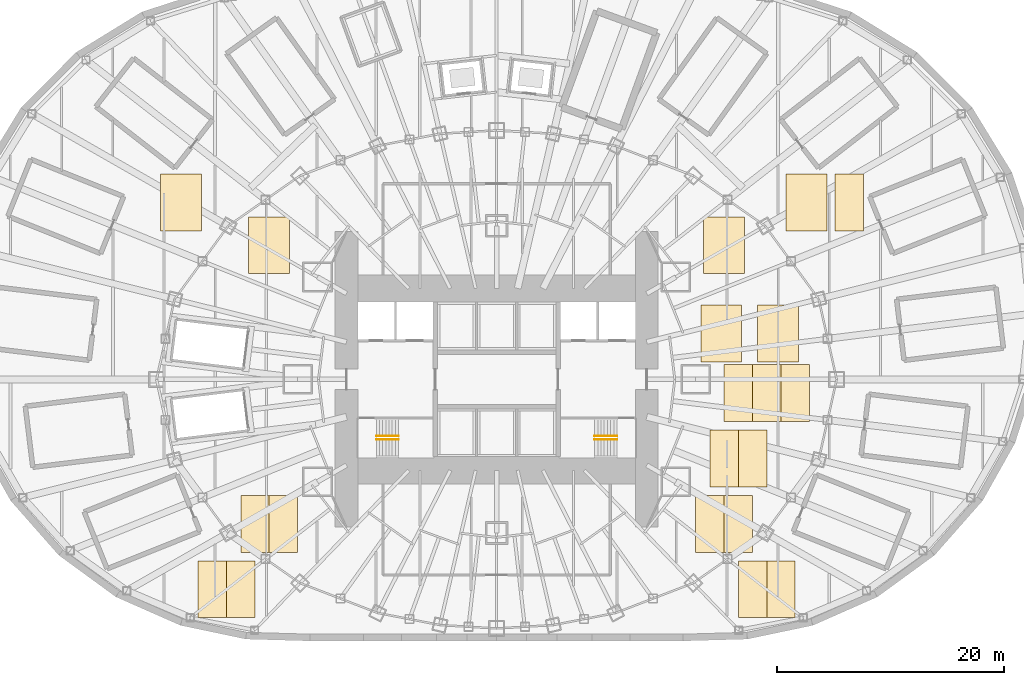
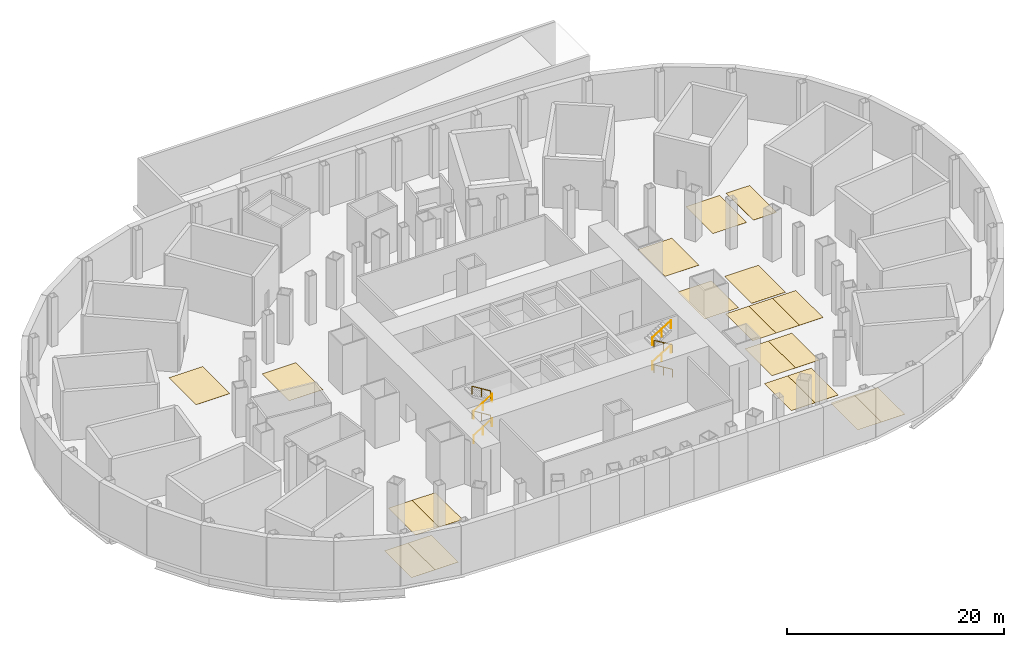
# One storey, part 18 of 19: 20 coverings, 8 railings.
"""IFC4 building model written with IfcOpenShell, lengths in metres."""

from ifc_helpers import new_model, si_unit, direction, frame, origin, origin_2d, place, context, subcontext, project, spatial, polyline, circle, outline, extrude, material, layer, layer_set, type_object, element, save


model = new_model("IFC4")

# Units and contexts
model_context = context("Model", 3, precision=1e-05, world=origin(), true_north=direction((0.0, 1.0)))
body_context = subcontext(model_context, "Body", "Model", "MODEL_VIEW")
ifc_project = project(units=[si_unit("LENGTHUNIT", "METRE"), si_unit("AREAUNIT", "SQUARE_METRE"), si_unit("VOLUMEUNIT", "CUBIC_METRE"), si_unit("PLANEANGLEUNIT", "RADIAN"), si_unit("MASSUNIT", "GRAM", prefix="KILO")], contexts=[model_context])

# Site, building, storey
site_placement = place(None, origin())
site = spatial("IfcSite", under=ifc_project, at=site_placement, CompositionType="ELEMENT")
building_placement = place(site_placement, origin())
building = spatial("IfcBuilding", under=site, at=building_placement, Name="Lantaw Convention Tower", CompositionType="ELEMENT")
storey_placement = place(building_placement, frame((0.0, 0.0, -5.5)))
storey = spatial("IfcBuildingStorey", under=building, at=storey_placement, Name="B1", CompositionType="ELEMENT", Elevation=-5.5)

# Coverings
ifc_material_1 = material(Name="Thermoplastic road marking paint, white")
ifc_layer = layer(ifc_material_1, 0.010009765625)
ifc_layer_set = layer_set([ifc_layer], Name="Parking bay marking")
covering_type = type_object("IfcCoveringType", Name="Parking bay marking", PredefinedType="FLOORING", material=ifc_layer_set)
covering_1_placement = place(storey_placement, origin())
element("IfcCovering", 1, at=covering_1_placement, inside=storey, type_object=covering_type, Name="Parking bay marking 001", PredefinedType="FLOORING", context=body_context, shape_type="SweptSolid", body=[
    extrude(outline(polyline([(29.75, 13.050048828125), (32.25, 13.050048828125), (32.25, 18.050048828125), (29.75, 18.050048828125), (29.75, 13.050048828125)])), origin(), (0.0, 0.0, 1.0), 0.010009765625),
])
covering_2_placement = place(storey_placement, origin())
element("IfcCovering", 2, at=covering_2_placement, inside=storey, type_object=covering_type, Name="Parking bay marking 002", PredefinedType="FLOORING", context=body_context, shape_type="SweptSolid", body=[
    extrude(outline(polyline([(-22.5, -15.199951171875), (-20.0, -15.199951171875), (-20.0, -10.199951171875), (-22.5, -10.199951171875), (-22.5, -15.199951171875)])), origin(), (0.0, 0.0, 1.0), 0.010009765625),
])
covering_3_placement = place(storey_placement, origin())
element("IfcCovering", 3, at=covering_3_placement, inside=storey, type_object=covering_type, Name="Parking bay marking 003", PredefinedType="FLOORING", context=body_context, shape_type="SweptSolid", body=[
    extrude(outline(polyline([(-20.0, -15.199951171875), (-17.5, -15.199951171875), (-17.5, -10.199951171875), (-20.0, -10.199951171875), (-20.0, -15.199951171875)])), origin(), (0.0, 0.0, 1.0), 0.010009765625),
])
covering_4_placement = place(storey_placement, origin())
element("IfcCovering", 4, at=covering_4_placement, inside=storey, type_object=covering_type, Name="Parking bay marking 004", PredefinedType="FLOORING", context=body_context, shape_type="SweptSolid", body=[
    extrude(outline(polyline([(17.5, -15.199951171875), (20.0, -15.199951171875), (20.0, -10.199951171875), (17.5, -10.199951171875), (17.5, -15.199951171875)])), origin(), (0.0, 0.0, 1.0), 0.010009765625),
])
covering_5_placement = place(storey_placement, origin())
element("IfcCovering", 5, at=covering_5_placement, inside=storey, type_object=covering_type, Name="Parking bay marking 005", PredefinedType="FLOORING", context=body_context, shape_type="SweptSolid", body=[
    extrude(outline(polyline([(20.0, -15.199951171875), (22.5, -15.199951171875), (22.5, -10.199951171875), (20.0, -10.199951171875), (20.0, -15.199951171875)])), origin(), (0.0, 0.0, 1.0), 0.010009765625),
])
covering_6_placement = place(storey_placement, origin())
element("IfcCovering", 6, at=covering_6_placement, inside=storey, type_object=covering_type, Name="Parking bay marking 006", PredefinedType="FLOORING", context=body_context, shape_type="SweptSolid", body=[
    extrude(outline(polyline([(20.0, -3.699951171875), (22.5, -3.699951171875), (22.5, 1.300048828125), (20.0, 1.300048828125), (20.0, -3.699951171875)])), origin(), (0.0, 0.0, 1.0), 0.010009765625),
])
covering_7_placement = place(storey_placement, origin())
element("IfcCovering", 7, at=covering_7_placement, inside=storey, type_object=covering_type, Name="Parking bay marking 007", PredefinedType="FLOORING", context=body_context, shape_type="SweptSolid", body=[
    extrude(outline(polyline([(22.5, -3.699951171875), (25.0, -3.699951171875), (25.0, 1.300048828125), (22.5, 1.300048828125), (22.5, -3.699951171875)])), origin(), (0.0, 0.0, 1.0), 0.010009765625),
])
covering_8_placement = place(storey_placement, origin())
element("IfcCovering", 8, at=covering_8_placement, inside=storey, type_object=covering_type, Name="Parking bay marking 008", PredefinedType="FLOORING", context=body_context, shape_type="SweptSolid", body=[
    extrude(outline(polyline([(25.0, -3.699951171875), (27.5, -3.699951171875), (27.5, 1.300048828125), (25.0, 1.300048828125), (25.0, -3.699951171875)])), origin(), (0.0, 0.0, 1.0), 0.010009765625),
])
covering_9_placement = place(storey_placement, origin())
element("IfcCovering", 9, at=covering_9_placement, inside=storey, type_object=covering_type, Name="Parking bay marking 009", PredefinedType="FLOORING", context=body_context, shape_type="SweptSolid", body=[
    extrude(outline(polyline([(-26.25, -20.949951171875), (-23.75, -20.949951171875), (-23.75, -15.949951171875), (-26.25, -15.949951171875), (-26.25, -20.949951171875)])), origin(), (0.0, 0.0, 1.0), 0.010009765625),
])
covering_10_placement = place(storey_placement, origin())
element("IfcCovering", 10, at=covering_10_placement, inside=storey, type_object=covering_type, Name="Parking bay marking 010", PredefinedType="FLOORING", context=body_context, shape_type="SweptSolid", body=[
    extrude(outline(polyline([(-23.75, -20.949951171875), (-21.25, -20.949951171875), (-21.25, -15.949951171875), (-23.75, -15.949951171875), (-23.75, -20.949951171875)])), origin(), (0.0, 0.0, 1.0), 0.010009765625),
])
covering_11_placement = place(storey_placement, origin())
element("IfcCovering", 11, at=covering_11_placement, inside=storey, type_object=covering_type, Name="Parking bay marking 011", PredefinedType="FLOORING", context=body_context, shape_type="SweptSolid", body=[
    extrude(outline(polyline([(21.25, -20.949951171875), (23.75, -20.949951171875), (23.75, -15.949951171875), (21.25, -15.949951171875), (21.25, -20.949951171875)])), origin(), (0.0, 0.0, 1.0), 0.010009765625),
])
covering_12_placement = place(storey_placement, origin())
element("IfcCovering", 12, at=covering_12_placement, inside=storey, type_object=covering_type, Name="Parking bay marking 012", PredefinedType="FLOORING", context=body_context, shape_type="SweptSolid", body=[
    extrude(outline(polyline([(23.75, -20.949951171875), (26.25, -20.949951171875), (26.25, -15.949951171875), (23.75, -15.949951171875), (23.75, -20.949951171875)])), origin(), (0.0, 0.0, 1.0), 0.010009765625),
])
covering_13_placement = place(storey_placement, origin())
element("IfcCovering", 13, at=covering_13_placement, inside=storey, type_object=covering_type, Name="Parking bay marking 013", PredefinedType="FLOORING", context=body_context, shape_type="SweptSolid", body=[
    extrude(outline(polyline([(18.75, -9.449951171875), (21.25, -9.449951171875), (21.25, -4.449951171875), (18.75, -4.449951171875), (18.75, -9.449951171875)])), origin(), (0.0, 0.0, 1.0), 0.010009765625),
])
covering_14_placement = place(storey_placement, origin())
element("IfcCovering", 14, at=covering_14_placement, inside=storey, type_object=covering_type, Name="Parking bay marking 014", PredefinedType="FLOORING", context=body_context, shape_type="SweptSolid", body=[
    extrude(outline(polyline([(21.25, -9.449951171875), (23.75, -9.449951171875), (23.75, -4.449951171875), (21.25, -4.449951171875), (21.25, -9.449951171875)])), origin(), (0.0, 0.0, 1.0), 0.010009765625),
])
covering_15_placement = place(storey_placement, origin())
element("IfcCovering", 15, at=covering_15_placement, inside=storey, type_object=covering_type, Name="Accessible parking bay marking 01", PredefinedType="FLOORING", context=body_context, shape_type="SweptSolid", body=[
    extrude(outline(polyline([(-21.800048828125, 9.300048828125), (-18.199951171875, 9.300048828125), (-18.199951171875, 14.300048828125), (-21.800048828125, 14.300048828125), (-21.800048828125, 9.300048828125)])), origin(), (0.0, 0.0, 1.0), 0.010009765625),
])
covering_16_placement = place(storey_placement, origin())
element("IfcCovering", 16, at=covering_16_placement, inside=storey, type_object=covering_type, Name="Accessible parking bay marking 02", PredefinedType="FLOORING", context=body_context, shape_type="SweptSolid", body=[
    extrude(outline(polyline([(18.199951171875, 9.300048828125), (21.800048828125, 9.300048828125), (21.800048828125, 14.300048828125), (18.199951171875, 14.300048828125), (18.199951171875, 9.300048828125)])), origin(), (0.0, 0.0, 1.0), 0.010009765625),
])
covering_17_placement = place(storey_placement, origin())
element("IfcCovering", 17, at=covering_17_placement, inside=storey, type_object=covering_type, Name="Accessible parking bay marking 03", PredefinedType="FLOORING", context=body_context, shape_type="SweptSolid", body=[
    extrude(outline(polyline([(17.949951171875, 1.550048828125), (21.550048828125, 1.550048828125), (21.550048828125, 6.550048828125), (17.949951171875, 6.550048828125), (17.949951171875, 1.550048828125)])), origin(), (0.0, 0.0, 1.0), 0.010009765625),
])
covering_18_placement = place(storey_placement, origin())
element("IfcCovering", 18, at=covering_18_placement, inside=storey, type_object=covering_type, Name="Accessible parking bay marking 04", PredefinedType="FLOORING", context=body_context, shape_type="SweptSolid", body=[
    extrude(outline(polyline([(25.449951171875, 13.050048828125), (29.050048828125, 13.050048828125), (29.050048828125, 18.050048828125), (25.449951171875, 18.050048828125), (25.449951171875, 13.050048828125)])), origin(), (0.0, 0.0, 1.0), 0.010009765625),
])
covering_19_placement = place(storey_placement, origin())
element("IfcCovering", 19, at=covering_19_placement, inside=storey, type_object=covering_type, Name="Accessible parking bay marking 05", PredefinedType="FLOORING", context=body_context, shape_type="SweptSolid", body=[
    extrude(outline(polyline([(-29.550048828125, 13.050048828125), (-25.949951171875, 13.050048828125), (-25.949951171875, 18.050048828125), (-29.550048828125, 18.050048828125), (-29.550048828125, 13.050048828125)])), origin(), (0.0, 0.0, 1.0), 0.010009765625),
])
covering_20_placement = place(storey_placement, origin())
element("IfcCovering", 20, at=covering_20_placement, inside=storey, type_object=covering_type, Name="Accessible parking bay marking 06", PredefinedType="FLOORING", context=body_context, shape_type="SweptSolid", body=[
    extrude(outline(polyline([(22.949951171875, 1.550048828125), (26.550048828125, 1.550048828125), (26.550048828125, 6.550048828125), (22.949951171875, 6.550048828125), (22.949951171875, 1.550048828125)])), origin(), (0.0, 0.0, 1.0), 0.010009765625),
])

# Railings
ifc_material_2 = material(Name="Stainless steel", Category="steel")
railing_type = type_object("IfcRailingType", Name="Stair handrail", PredefinedType="HANDRAIL", material=ifc_material_2)
railing_1_placement = place(storey_placement, frame((-10.580078125, -5.280029296875, 0.171875)))
element("IfcRailing", 21, at=railing_1_placement, inside=storey, type_object=railing_type, Name="Stair handrail S1", PredefinedType="HANDRAIL", context=body_context, shape_type="SweptSolid", body=[
    extrude(circle(Radius=0.02392578125, at=origin_2d()), frame((0.0, 0.0, 0.8759765625), z_axis=(0.852240978134, 0.0, 0.523149419562), x_axis=(0.0, 1.0, 0.0)), (0.0, 0.0, 1.0), 2.2998046875),
    extrude(circle(Radius=0.02099609375, at=origin_2d()), origin(), (0.0, 0.0, 1.0), 0.851806640625),
    extrude(circle(Radius=0.02099609375, at=origin_2d()), frame((0.97998046875, 0.0, 0.6015625)), (0.0, 0.0, 1.0), 0.851806640625),
    extrude(circle(Radius=0.02099609375, at=origin_2d()), frame((1.9599609375, 0.0, 1.203125)), (0.0, 0.0, 1.0), 0.851806640625),
])
railing_2_placement = place(storey_placement, frame((-8.6201171875, -4.97998046875, 1.546875)))
element("IfcRailing", 22, at=railing_2_placement, inside=storey, type_object=railing_type, Name="Stair handrail S1", PredefinedType="HANDRAIL", context=body_context, shape_type="SweptSolid", body=[
    extrude(circle(Radius=0.02392578125, at=origin_2d()), frame((0.0, 0.0, 0.8759765625), z_axis=(-0.852240978134, 0.0, 0.523149419562), x_axis=(0.0, -1.0, 0.0)), (0.0, 0.0, 1.0), 2.2998046875),
    extrude(circle(Radius=0.02099609375, at=origin_2d()), origin(), (0.0, 0.0, 1.0), 0.851806640625),
    extrude(circle(Radius=0.02099609375, at=origin_2d()), frame((-0.97998046875, 0.0, 0.6015625)), (0.0, 0.0, 1.0), 0.851806640625),
    extrude(circle(Radius=0.02099609375, at=origin_2d()), frame((-1.9599609375, 0.0, 1.203125)), (0.0, 0.0, 1.0), 0.851806640625),
])
railing_3_placement = place(storey_placement, frame((-10.580078125, -5.280029296875, 2.921875)))
element("IfcRailing", 23, at=railing_3_placement, inside=storey, type_object=railing_type, Name="Stair handrail S1", PredefinedType="HANDRAIL", context=body_context, shape_type="SweptSolid", body=[
    extrude(circle(Radius=0.02392578125, at=origin_2d()), frame((0.0, 0.0, 0.8759765625), z_axis=(0.852240978134, 0.0, 0.523149419562), x_axis=(0.0, 1.0, 0.0)), (0.0, 0.0, 1.0), 2.2998046875),
    extrude(circle(Radius=0.02099609375, at=origin_2d()), origin(), (0.0, 0.0, 1.0), 0.851806640625),
    extrude(circle(Radius=0.02099609375, at=origin_2d()), frame((0.97998046875, 0.0, 0.6015625)), (0.0, 0.0, 1.0), 0.851806640625),
    extrude(circle(Radius=0.02099609375, at=origin_2d()), frame((1.9599609375, 0.0, 1.203125)), (0.0, 0.0, 1.0), 0.851806640625),
])
for number, where, name in (
    (24, (-8.6201171875, -4.97998046875, 4.296875), "Stair handrail S1"),
    (25, (10.580078125, -5.280029296875, 0.171875), "Stair handrail S2"),
):
    element("IfcRailing", number, at=place(storey_placement, frame(where)), inside=storey, type_object=railing_type, Name=name, PredefinedType="HANDRAIL", context=body_context, shape_type="SweptSolid", body=[
        extrude(circle(Radius=0.02392578125, at=origin_2d()), frame((0.0, 0.0, 0.8759765625), z_axis=(-0.852240978134, 0.0, 0.523149419562), x_axis=(0.0, -1.0, 0.0)), (0.0, 0.0, 1.0), 2.2998046875),
        extrude(circle(Radius=0.02099609375, at=origin_2d()), origin(), (0.0, 0.0, 1.0), 0.851806640625),
        extrude(circle(Radius=0.02099609375, at=origin_2d()), frame((-0.97998046875, 0.0, 0.6015625)), (0.0, 0.0, 1.0), 0.851806640625),
        extrude(circle(Radius=0.02099609375, at=origin_2d()), frame((-1.9599609375, 0.0, 1.203125)), (0.0, 0.0, 1.0), 0.851806640625),
    ])
railing_4_placement = place(storey_placement, frame((8.6201171875, -4.97998046875, 1.546875)))
element("IfcRailing", 26, at=railing_4_placement, inside=storey, type_object=railing_type, Name="Stair handrail S2", PredefinedType="HANDRAIL", context=body_context, shape_type="SweptSolid", body=[
    extrude(circle(Radius=0.02392578125, at=origin_2d()), frame((0.0, 0.0, 0.8759765625), z_axis=(0.852240978134, 0.0, 0.523149419562), x_axis=(0.0, 1.0, 0.0)), (0.0, 0.0, 1.0), 2.2998046875),
    extrude(circle(Radius=0.02099609375, at=origin_2d()), origin(), (0.0, 0.0, 1.0), 0.851806640625),
    extrude(circle(Radius=0.02099609375, at=origin_2d()), frame((0.97998046875, 0.0, 0.6015625)), (0.0, 0.0, 1.0), 0.851806640625),
    extrude(circle(Radius=0.02099609375, at=origin_2d()), frame((1.9599609375, 0.0, 1.203125)), (0.0, 0.0, 1.0), 0.851806640625),
])
railing_5_placement = place(storey_placement, frame((10.580078125, -5.280029296875, 2.921875)))
element("IfcRailing", 27, at=railing_5_placement, inside=storey, type_object=railing_type, Name="Stair handrail S2", PredefinedType="HANDRAIL", context=body_context, shape_type="SweptSolid", body=[
    extrude(circle(Radius=0.02392578125, at=origin_2d()), frame((0.0, 0.0, 0.8759765625), z_axis=(-0.852240978134, 0.0, 0.523149419562), x_axis=(0.0, -1.0, 0.0)), (0.0, 0.0, 1.0), 2.2998046875),
    extrude(circle(Radius=0.02099609375, at=origin_2d()), origin(), (0.0, 0.0, 1.0), 0.851806640625),
    extrude(circle(Radius=0.02099609375, at=origin_2d()), frame((-0.97998046875, 0.0, 0.6015625)), (0.0, 0.0, 1.0), 0.851806640625),
    extrude(circle(Radius=0.02099609375, at=origin_2d()), frame((-1.9599609375, 0.0, 1.203125)), (0.0, 0.0, 1.0), 0.851806640625),
])
railing_6_placement = place(storey_placement, frame((8.6201171875, -4.97998046875, 4.296875)))
element("IfcRailing", 28, at=railing_6_placement, inside=storey, type_object=railing_type, Name="Stair handrail S2", PredefinedType="HANDRAIL", context=body_context, shape_type="SweptSolid", body=[
    extrude(circle(Radius=0.02392578125, at=origin_2d()), frame((0.0, 0.0, 0.8759765625), z_axis=(0.852240978134, 0.0, 0.523149419562), x_axis=(0.0, 1.0, 0.0)), (0.0, 0.0, 1.0), 2.2998046875),
    extrude(circle(Radius=0.02099609375, at=origin_2d()), origin(), (0.0, 0.0, 1.0), 0.851806640625),
    extrude(circle(Radius=0.02099609375, at=origin_2d()), frame((0.97998046875, 0.0, 0.6015625)), (0.0, 0.0, 1.0), 0.851806640625),
    extrude(circle(Radius=0.02099609375, at=origin_2d()), frame((1.9599609375, 0.0, 1.203125)), (0.0, 0.0, 1.0), 0.851806640625),
])

save(model, "model.ifc")
